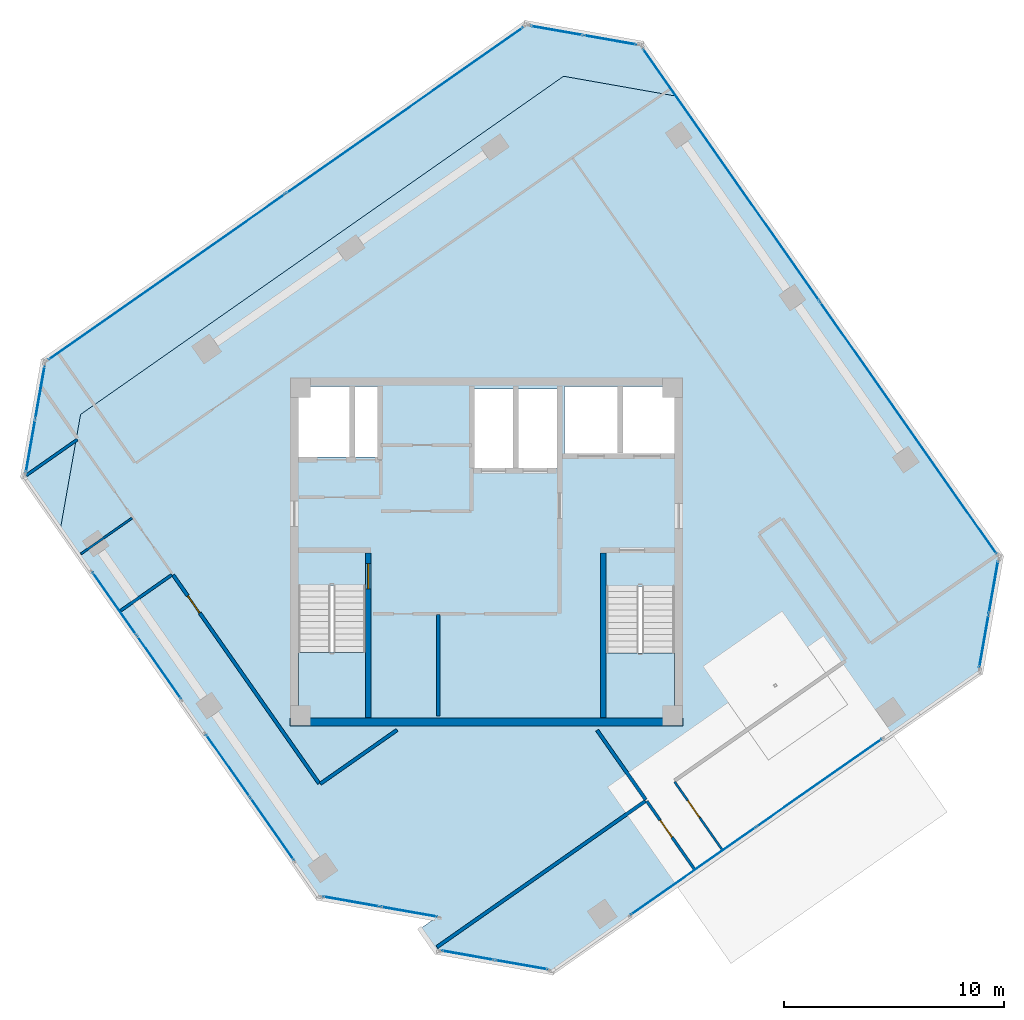
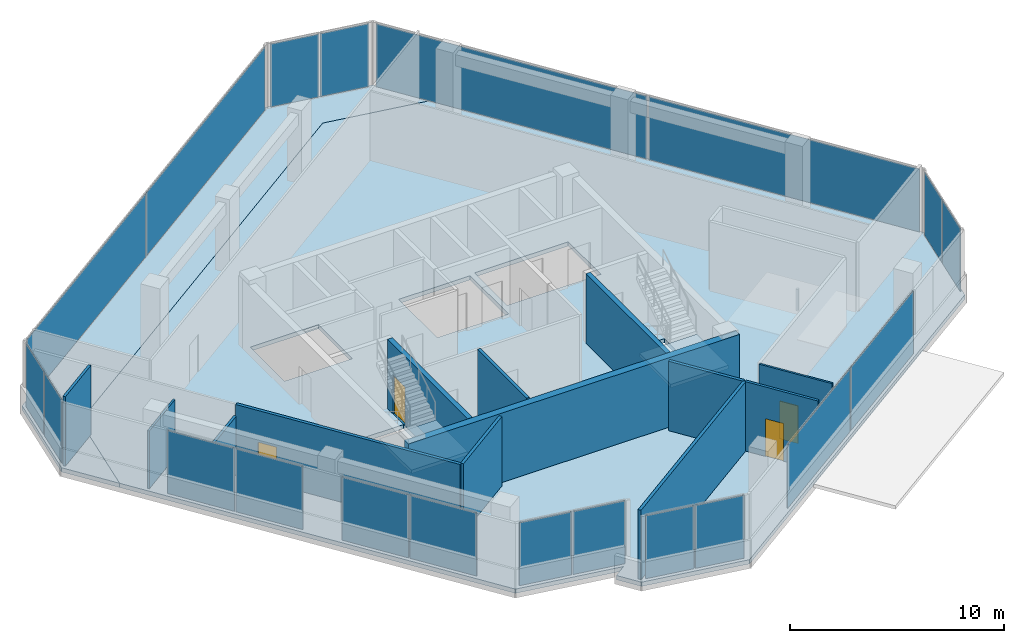
# One storey, part 11 of 17: 20 plates, 13 walls, 4 doors, 4 slabs, 4 openings, 12 elements without a shape of their own.
"""IFC4 building model written with IfcOpenShell, lengths in metres."""

from ifc_helpers import new_model, si_unit, direction, frame, frame_2d, origin, origin_2d, place, context, subcontext, project, spatial, polyline, rectangle, outline, extrude, source, transform, mapped, material, layer, layer_set, type_object, element, fill, aggregate, save


model = new_model("IFC4")

# Units and contexts
model_context = context("Model", 3, precision=1e-05, world=origin(), true_north=direction((0.0, 1.0)))
body_context = subcontext(model_context, "Body", "Model", "MODEL_VIEW")
ifc_project = project(units=[si_unit("LENGTHUNIT", "METRE"), si_unit("AREAUNIT", "SQUARE_METRE"), si_unit("VOLUMEUNIT", "CUBIC_METRE"), si_unit("PLANEANGLEUNIT", "RADIAN"), si_unit("MASSUNIT", "GRAM", prefix="KILO")], contexts=[model_context])

# Site, building, storey
site_placement = place(None, origin())
site = spatial("IfcSite", under=ifc_project, at=site_placement, CompositionType="ELEMENT")
building_placement = place(site_placement, origin())
building = spatial("IfcBuilding", under=site, at=building_placement, Name="Torre Montelarca", CompositionType="ELEMENT")
storey_placement = place(building_placement, frame((0.0, 0.0, 298.800048828125)))
storey = spatial("IfcBuildingStorey", under=building, at=storey_placement, Name="L67", CompositionType="ELEMENT", Elevation=298.800048828125)

# Slabs
ifc_material_1 = material(Name="Concrete C40/50", Category="concrete")
ifc_layer_1 = layer(ifc_material_1, 0.239990234375, Name="Concrete C40/50", Category="concrete")
ifc_layer_set_1 = layer_set([ifc_layer_1], Name="Concrete C40/50")
slab_type_1 = type_object("IfcSlabType", Name="SL-FLR-240", PredefinedType="FLOOR", material=ifc_layer_set_1)
slab_1_placement = place(storey_placement, frame((0.0, 0.0, -0.239990234375)))
element("IfcSlab", 1, at=slab_1_placement, inside=storey, type_object=slab_type_1, Name="L67 Structural Floor Slab", PredefinedType="FLOOR", context=body_context, shape_type="SweptSolid", body=[
    extrude(outline(polyline([(10.319580078125, 16.236328125), (15.612060546875, 15.30322265625), (14.956787109375, 14.844482421875), (15.702392578125, 13.779541015625), (20.99462890625, 12.84619140625), (40.490478515625, 26.497314453125), (41.423583984375, 31.789794921875), (26.797607421875, 52.67822265625), (21.505126953125, 53.611328125), (-0.447998046875, 38.239501953125), (-1.38134765625, 32.947021484375), (10.319580078125, 16.236328125)]), holes=[polyline([(26.550048828125, 24.449951171875), (23.43994140625, 24.449951171875), (23.43994140625, 30.429931640625), (26.550048828125, 30.429931640625), (26.550048828125, 24.449951171875)]), polyline([(12.5, 24.449951171875), (9.449951171875, 24.449951171875), (9.449951171875, 30.4599609375), (12.5, 30.4599609375), (12.5, 24.449951171875)]), polyline([(21.25, 39.39990234375), (21.25, 35.800048828125), (17.39990234375, 35.800048828125), (17.39990234375, 39.39990234375), (21.25, 39.39990234375)]), polyline([(13.1201171875, 36.300048828125), (9.449951171875, 36.300048828125), (9.449951171875, 39.5), (13.1201171875, 39.5), (13.1201171875, 36.300048828125)]), polyline([(26.60009765625, 36.449951171875), (21.550048828125, 36.449951171875), (21.550048828125, 39.5), (26.60009765625, 39.5), (26.60009765625, 36.449951171875)])]), origin(), (0.0, 0.0, 1.0), 0.239990234375),
])
slab_2_placement = place(storey_placement, frame((0.0, 0.0, -0.239990234375)))
element("IfcSlab", 2, at=slab_2_placement, inside=storey, type_object=slab_type_1, Name="L67 Sliding Tray Winter Garden Floor Slab W1", PredefinedType="FLOOR", context=body_context, shape_type="SweptSolid", body=[
    extrude(outline(polyline([(-1.38134765625, 32.947021484375), (-0.447998046875, 38.239501953125), (21.505126953125, 53.611328125), (26.797607421875, 52.67822265625), (25.076904296875, 55.135498046875), (19.784423828125, 56.06884765625), (-2.168701171875, 40.697021484375), (-3.10205078125, 35.404541015625), (-1.38134765625, 32.947021484375)])), origin(), (0.0, 0.0, 1.0), 0.239990234375),
])

# Stair, slab
stair_type_1 = type_object("IfcStairType", Name="ST-CORE-ST1", PredefinedType="HALF_TURN_STAIR", material=ifc_material_1)
stair_1_placement = place(storey_placement, origin())
stair_1 = element("IfcStair", 3, at=stair_1_placement, inside=storey, type_object=stair_type_1, Name="L67 Protected Exit Stair ST1", PredefinedType="HALF_TURN_STAIR")
ifc_layer_2 = layer(ifc_material_1, 0.199951171875, Name="Concrete C40/50", Category="concrete")
ifc_layer_set_2 = layer_set([ifc_layer_2], Name="Concrete C40/50")
slab_type_2 = type_object("IfcSlabType", Name="SL-ST-LAND-ST1", PredefinedType="LANDING", material=ifc_layer_set_2)
slab_3_placement = place(storey_placement, frame((0.0, 0.0, 1.89990234375)))
slab_3 = element("IfcSlab", 4, at=slab_3_placement, type_object=slab_type_2, Name="ST1 landing 1", PredefinedType="LANDING", context=body_context, shape_type="SweptSolid", body=[
    extrude(outline(polyline([(9.449951171875, 27.419921875), (9.449951171875, 24.449951171875), (12.5, 24.449951171875), (12.5, 27.419921875), (9.449951171875, 27.419921875)])), origin(), (0.0, 0.0, 1.0), 0.199951171875),
])
aggregate(stair_1, [slab_3])

stair_type_2 = type_object("IfcStairType", Name="ST-CORE-ST2", PredefinedType="HALF_TURN_STAIR", material=ifc_material_1)
stair_2_placement = place(storey_placement, origin())
stair_2 = element("IfcStair", 5, at=stair_2_placement, inside=storey, type_object=stair_type_2, Name="L67 Protected Exit Stair ST2", PredefinedType="HALF_TURN_STAIR")
ifc_layer_3 = layer(ifc_material_1, 0.199951171875, Name="Concrete C40/50", Category="concrete")
ifc_layer_set_3 = layer_set([ifc_layer_3], Name="Concrete C40/50")
slab_type_3 = type_object("IfcSlabType", Name="SL-ST-LAND-ST2", PredefinedType="LANDING", material=ifc_layer_set_3)
slab_4_placement = place(storey_placement, frame((0.0, 0.0, 1.89990234375)))
slab_4 = element("IfcSlab", 6, at=slab_4_placement, type_object=slab_type_3, Name="ST2 landing 1", PredefinedType="LANDING", context=body_context, shape_type="SweptSolid", body=[
    extrude(outline(polyline([(23.43994140625, 27.389892578125), (23.43994140625, 24.449951171875), (26.550048828125, 24.449951171875), (26.550048828125, 27.389892578125), (23.43994140625, 27.389892578125)])), origin(), (0.0, 0.0, 1.0), 0.199951171875),
])
aggregate(stair_2, [slab_4])

# Curtain wall, plates
ifc_material_2 = material(Name="Insulated low-E laminated glass", Category="glass")
curtain_wall_type = type_object("IfcCurtainWallType", Name="CW-SYS-Z4", PredefinedType="USERDEFINED", material=ifc_material_2)
curtain_wall_1_placement = place(storey_placement, origin())
curtain_wall_1 = element("IfcCurtainWall", 7, at=curtain_wall_1_placement, inside=storey, type_object=curtain_wall_type, Name="L67 Curtain Wall Run CW-T3-L67-E01-B1", ObjectType="UNITISED GLAZING", PredefinedType="USERDEFINED")
ifc_layer_4 = layer(ifc_material_2, 0.035888671875, Name="Insulated low-E laminated glass", Category="glass")
ifc_layer_set_4 = layer_set([ifc_layer_4], Name="Insulated low-E laminated glass")
plate_type = type_object("IfcPlateType", Name="CWP-GLZ-36", PredefinedType="CURTAIN_PANEL", material=ifc_layer_set_4)
shared_shape_1 = source(origin(), body_context, "Body", "SweptSolid", [
    extrude(rectangle(XDim=3.45751953125, YDim=0.035888671875, at=origin_2d()), origin(), (0.0, 0.0, 1.0), 3.590087890625),
])
plate_1_placement = place(storey_placement, frame((1.09619140625, 29.635498046875, 0.06494140625), z_axis=(0.0, 0.0, 1.0), x_axis=(0.573569496058, -0.819156903891, 0.0)))
plate_1 = element("IfcPlate", 8, at=plate_1_placement, type_object=plate_type, Name="CW panel 1.1", PredefinedType="CURTAIN_PANEL", context=body_context, shape_type="MappedRepresentation", body=[
    mapped(shared_shape_1, transform((0.0, 0.0, 0.0), scale=1.0)),
])
plate_2_placement = place(storey_placement, frame((3.122314453125, 26.741943359375, 0.06494140625), z_axis=(0.0, 0.0, 1.0), x_axis=(0.573569496058, -0.819156903891, 0.0)))
plate_2 = element("IfcPlate", 9, at=plate_2_placement, type_object=plate_type, Name="CW panel 2.1", PredefinedType="CURTAIN_PANEL", context=body_context, shape_type="MappedRepresentation", body=[
    mapped(shared_shape_1, transform((0.0, 0.0, 0.0), scale=1.0)),
])
aggregate(curtain_wall_1, [plate_1, plate_2])

curtain_wall_2_placement = place(storey_placement, origin())
curtain_wall_2 = element("IfcCurtainWall", 10, at=curtain_wall_2_placement, inside=storey, type_object=curtain_wall_type, Name="L67 Curtain Wall Run CW-T3-L67-E01-B2", ObjectType="UNITISED GLAZING", PredefinedType="USERDEFINED")
shared_shape_2 = source(origin(), body_context, "Body", "SweptSolid", [
    extrude(rectangle(XDim=3.432373046875, YDim=0.035888671875, at=origin_2d()), origin(), (0.0, 0.0, 1.0), 3.590087890625),
])
plate_3_placement = place(storey_placement, frame((6.251220703125, 22.2734375, 0.06494140625), z_axis=(0.0, 0.0, 1.0), x_axis=(0.573570252382, -0.819156374316, 0.0)))
plate_3 = element("IfcPlate", 11, at=plate_3_placement, type_object=plate_type, Name="CW panel 1.1", PredefinedType="CURTAIN_PANEL", context=body_context, shape_type="MappedRepresentation", body=[
    mapped(shared_shape_2, transform((0.0, 0.0, 0.0), scale=1.0)),
])
plate_4_placement = place(storey_placement, frame((8.26318359375, 19.400146484375, 0.06494140625), z_axis=(0.0, 0.0, 1.0), x_axis=(0.573570252382, -0.819156374316, 0.0)))
plate_4 = element("IfcPlate", 12, at=plate_4_placement, type_object=plate_type, Name="CW panel 2.1", PredefinedType="CURTAIN_PANEL", context=body_context, shape_type="MappedRepresentation", body=[
    mapped(shared_shape_2, transform((0.0, 0.0, 0.0), scale=1.0)),
])
aggregate(curtain_wall_2, [plate_3, plate_4])

curtain_wall_3_placement = place(storey_placement, origin())
curtain_wall_3 = element("IfcCurtainWall", 13, at=curtain_wall_3_placement, inside=storey, type_object=curtain_wall_type, Name="L67 Curtain Wall Run CW-T3-L67-E02-B1", ObjectType="UNITISED GLAZING", PredefinedType="USERDEFINED")
shared_shape_3 = source(origin(), body_context, "Body", "SweptSolid", [
    extrude(rectangle(XDim=2.592529296875, YDim=0.035888671875, at=origin_2d()), origin(), (0.0, 0.0, 1.0), 3.590087890625),
])
plate_5_placement = place(storey_placement, frame((11.85595703125, 16.097412109375, 0.06494140625), z_axis=(0.0, 0.0, 1.0), x_axis=(0.9848088558, -0.17364192333, 0.0)))
plate_5 = element("IfcPlate", 14, at=plate_5_placement, type_object=plate_type, Name="CW panel 1.1", PredefinedType="CURTAIN_PANEL", context=body_context, shape_type="MappedRepresentation", body=[
    mapped(shared_shape_3, transform((0.0, 0.0, 0.0), scale=1.0)),
])
plate_6_placement = place(storey_placement, frame((14.48291015625, 15.63427734375, 0.06494140625), z_axis=(0.0, 0.0, 1.0), x_axis=(0.9848088558, -0.17364192333, 0.0)))
plate_6 = element("IfcPlate", 15, at=plate_6_placement, type_object=plate_type, Name="CW panel 2.1", PredefinedType="CURTAIN_PANEL", context=body_context, shape_type="MappedRepresentation", body=[
    mapped(shared_shape_3, transform((0.0, 0.0, 0.0), scale=1.0)),
])
aggregate(curtain_wall_3, [plate_5, plate_6])

curtain_wall_4_placement = place(storey_placement, origin())
curtain_wall_4 = element("IfcCurtainWall", 16, at=curtain_wall_4_placement, inside=storey, type_object=curtain_wall_type, Name="L67 Curtain Wall Run CW-T3-L67-E05-B1", ObjectType="UNITISED GLAZING", PredefinedType="USERDEFINED")
shared_shape_4 = source(origin(), body_context, "Body", "SweptSolid", [
    extrude(rectangle(XDim=2.40869140625, YDim=0.035888671875, at=origin_2d()), origin(), (0.0, 0.0, 1.0), 3.590087890625),
])
plate_7_placement = place(storey_placement, frame((17.148193359375, 13.656494140625, 0.06494140625), z_axis=(0.0, 0.0, 1.0), x_axis=(0.984810101776, -0.173634856638, 0.0)))
plate_7 = element("IfcPlate", 17, at=plate_7_placement, type_object=plate_type, Name="CW panel 1.1", PredefinedType="CURTAIN_PANEL", context=body_context, shape_type="MappedRepresentation", body=[
    mapped(shared_shape_4, transform((0.0, 0.0, 0.0), scale=1.0)),
])
plate_8_placement = place(storey_placement, frame((19.593994140625, 13.225341796875, 0.06494140625), z_axis=(0.0, 0.0, 1.0), x_axis=(0.984810101776, -0.173634856638, 0.0)))
plate_8 = element("IfcPlate", 18, at=plate_8_placement, type_object=plate_type, Name="CW panel 2.1", PredefinedType="CURTAIN_PANEL", context=body_context, shape_type="MappedRepresentation", body=[
    mapped(shared_shape_4, transform((0.0, 0.0, 0.0), scale=1.0)),
])
aggregate(curtain_wall_4, [plate_7, plate_8])

curtain_wall_5_placement = place(storey_placement, origin())
curtain_wall_5 = element("IfcCurtainWall", 19, at=curtain_wall_5_placement, inside=storey, type_object=curtain_wall_type, Name="L67 Curtain Wall Run CW-T3-L67-E07-B1", ObjectType="UNITISED GLAZING", PredefinedType="USERDEFINED")
plate_9_placement = place(storey_placement, frame((40.613525390625, 27.943115234375, 0.06494140625), z_axis=(0.0, 0.0, 1.0), x_axis=(0.173612230899, 0.984814090721, 0.0)))
plate_9 = element("IfcPlate", 20, at=plate_9_placement, type_object=plate_type, Name="CW panel 1.1", PredefinedType="CURTAIN_PANEL", context=body_context, shape_type="MappedRepresentation", body=[
    mapped(shared_shape_4, transform((0.0, 0.0, 0.0), scale=1.0)),
])
plate_10_placement = place(storey_placement, frame((41.044677734375, 30.38916015625, 0.06494140625), z_axis=(0.0, 0.0, 1.0), x_axis=(0.173612230899, 0.984814090721, 0.0)))
plate_10 = element("IfcPlate", 21, at=plate_10_placement, type_object=plate_type, Name="CW panel 2.1", PredefinedType="CURTAIN_PANEL", context=body_context, shape_type="MappedRepresentation", body=[
    mapped(shared_shape_4, transform((0.0, 0.0, 0.0), scale=1.0)),
])
aggregate(curtain_wall_5, [plate_9, plate_10])

curtain_wall_6_placement = place(storey_placement, origin())
curtain_wall_6 = element("IfcCurtainWall", 22, at=curtain_wall_6_placement, inside=storey, type_object=curtain_wall_type, Name="L67 Curtain Wall Run CW-T3-L67-E09-B1", ObjectType="UNITISED GLAZING", PredefinedType="USERDEFINED")
plate_11_placement = place(storey_placement, frame((23.631103515625, 55.258544921875, 0.06494140625), z_axis=(0.0, 0.0, 1.0), x_axis=(-0.984810101776, 0.173634856638, 0.0)))
plate_11 = element("IfcPlate", 23, at=plate_11_placement, type_object=plate_type, Name="CW panel 1.1", PredefinedType="CURTAIN_PANEL", context=body_context, shape_type="MappedRepresentation", body=[
    mapped(shared_shape_4, transform((0.0, 0.0, 0.0), scale=1.0)),
])
plate_12_placement = place(storey_placement, frame((21.18505859375, 55.689697265625, 0.06494140625), z_axis=(0.0, 0.0, 1.0), x_axis=(-0.984810101776, 0.173634856638, 0.0)))
plate_12 = element("IfcPlate", 24, at=plate_12_placement, type_object=plate_type, Name="CW panel 2.1", PredefinedType="CURTAIN_PANEL", context=body_context, shape_type="MappedRepresentation", body=[
    mapped(shared_shape_4, transform((0.0, 0.0, 0.0), scale=1.0)),
])
aggregate(curtain_wall_6, [plate_11, plate_12])

curtain_wall_7_placement = place(storey_placement, origin())
curtain_wall_7 = element("IfcCurtainWall", 25, at=curtain_wall_7_placement, inside=storey, type_object=curtain_wall_type, Name="L67 Curtain Wall Run CW-T3-L67-E11-B1", ObjectType="UNITISED GLAZING", PredefinedType="USERDEFINED")
plate_13_placement = place(storey_placement, frame((-2.291748046875, 39.251220703125, 0.06494140625), z_axis=(0.0, 0.0, 1.0), x_axis=(-0.173634856638, -0.984810101776, 0.0)))
plate_13 = element("IfcPlate", 26, at=plate_13_placement, type_object=plate_type, Name="CW panel 1.1", PredefinedType="CURTAIN_PANEL", context=body_context, shape_type="MappedRepresentation", body=[
    mapped(shared_shape_4, transform((0.0, 0.0, 0.0), scale=1.0)),
])
plate_14_placement = place(storey_placement, frame((-2.722900390625, 36.80517578125, 0.06494140625), z_axis=(0.0, 0.0, 1.0), x_axis=(-0.173634856638, -0.984810101776, 0.0)))
plate_14 = element("IfcPlate", 27, at=plate_14_placement, type_object=plate_type, Name="CW panel 2.1", PredefinedType="CURTAIN_PANEL", context=body_context, shape_type="MappedRepresentation", body=[
    mapped(shared_shape_4, transform((0.0, 0.0, 0.0), scale=1.0)),
])
aggregate(curtain_wall_7, [plate_13, plate_14])

curtain_wall_8_placement = place(storey_placement, origin())
curtain_wall_8 = element("IfcCurtainWall", 28, at=curtain_wall_8_placement, inside=storey, type_object=curtain_wall_type, Name="L67 Curtain Wall Run CW-T3-L67-E06-B1", ObjectType="UNITISED GLAZING", PredefinedType="USERDEFINED")
shared_shape_5 = source(origin(), body_context, "Body", "SweptSolid", [
    extrude(rectangle(XDim=6.907470703125, YDim=0.035888671875, at=origin_2d()), origin(), (0.0, 0.0, 1.0), 3.590087890625),
])
plate_15_placement = place(storey_placement, frame((27.398681640625, 17.489013671875, 0.06494140625), z_axis=(0.0, 0.0, 1.0), x_axis=(0.819154952255, 0.573572283323, 0.0)))
plate_15 = element("IfcPlate", 29, at=plate_15_placement, type_object=plate_type, Name="CW panel 1.1", PredefinedType="CURTAIN_PANEL", context=body_context, shape_type="MappedRepresentation", body=[
    mapped(shared_shape_5, transform((0.0, 0.0, 0.0), scale=1.0)),
])
plate_16_placement = place(storey_placement, frame((33.118408203125, 21.494140625, 0.06494140625), z_axis=(0.0, 0.0, 1.0), x_axis=(0.819154952255, 0.573572283323, 0.0)))
plate_16 = element("IfcPlate", 30, at=plate_16_placement, type_object=plate_type, Name="CW panel 2.1", PredefinedType="CURTAIN_PANEL", context=body_context, shape_type="MappedRepresentation", body=[
    mapped(shared_shape_5, transform((0.0, 0.0, 0.0), scale=1.0)),
])
aggregate(curtain_wall_8, [plate_15, plate_16])

curtain_wall_9_placement = place(storey_placement, origin())
curtain_wall_9 = element("IfcCurtainWall", 31, at=curtain_wall_9_placement, inside=storey, type_object=curtain_wall_type, Name="L67 Curtain Wall Run CW-T3-L67-E08-B1", ObjectType="UNITISED GLAZING", PredefinedType="USERDEFINED")
shared_shape_6 = source(origin(), body_context, "Body", "SweptSolid", [
    extrude(rectangle(XDim=13.9716796875, YDim=0.035888671875, at=origin_2d()), origin(), (0.0, 0.0, 1.0), 3.590087890625),
])
plate_17_placement = place(storey_placement, frame((37.172119140625, 37.635009765625, 0.06494140625), z_axis=(0.0, 0.0, 1.0), x_axis=(-0.573570986503, 0.819155860287, 0.0)))
plate_17 = element("IfcPlate", 32, at=plate_17_placement, type_object=plate_type, Name="CW panel 1.1", PredefinedType="CURTAIN_PANEL", context=body_context, shape_type="MappedRepresentation", body=[
    mapped(shared_shape_6, transform((0.0, 0.0, 0.0), scale=1.0)),
])
plate_18_placement = place(storey_placement, frame((29.115478515625, 49.141357421875, 0.06494140625), z_axis=(0.0, 0.0, 1.0), x_axis=(-0.573570986503, 0.819155860287, 0.0)))
plate_18 = element("IfcPlate", 33, at=plate_18_placement, type_object=plate_type, Name="CW panel 2.1", PredefinedType="CURTAIN_PANEL", context=body_context, shape_type="MappedRepresentation", body=[
    mapped(shared_shape_6, transform((0.0, 0.0, 0.0), scale=1.0)),
])
aggregate(curtain_wall_9, [plate_17, plate_18])

curtain_wall_10_placement = place(storey_placement, origin())
curtain_wall_10 = element("IfcCurtainWall", 34, at=curtain_wall_10_placement, inside=storey, type_object=curtain_wall_type, Name="L67 Curtain Wall Run CW-T3-L67-E10-B1", ObjectType="UNITISED GLAZING", PredefinedType="USERDEFINED")
shared_shape_7 = source(origin(), body_context, "Body", "SweptSolid", [
    extrude(rectangle(XDim=13.12158203125, YDim=0.035888671875, at=origin_2d()), origin(), (0.0, 0.0, 1.0), 3.590087890625),
])
plate_19_placement = place(storey_placement, frame((14.28759765625, 52.06103515625, 0.06494140625), z_axis=(0.0, 0.0, 1.0), x_axis=(-0.819155413128, -0.57357162512, 0.0)))
plate_19 = element("IfcPlate", 35, at=plate_19_placement, type_object=plate_type, Name="CW panel 1.1", PredefinedType="CURTAIN_PANEL", context=body_context, shape_type="MappedRepresentation", body=[
    mapped(shared_shape_7, transform((0.0, 0.0, 0.0), scale=1.0)),
])
plate_20_placement = place(storey_placement, frame((3.477294921875, 44.49169921875, 0.06494140625), z_axis=(0.0, 0.0, 1.0), x_axis=(-0.819155413128, -0.57357162512, 0.0)))
plate_20 = element("IfcPlate", 36, at=plate_20_placement, type_object=plate_type, Name="CW panel 2.1", PredefinedType="CURTAIN_PANEL", context=body_context, shape_type="MappedRepresentation", body=[
    mapped(shared_shape_7, transform((0.0, 0.0, 0.0), scale=1.0)),
])
aggregate(curtain_wall_10, [plate_19, plate_20])

# Wall, opening, door
ifc_layer_5 = layer(ifc_material_1, 0.25, Name="Concrete C40/50", Category="concrete")
ifc_layer_set_5 = layer_set([ifc_layer_5], Name="Concrete C40/50")
wall_type_1 = type_object("IfcWallType", Name="CW-SHAFT-250", PredefinedType="SHEAR", material=ifc_layer_set_5)
wall_1_placement = place(storey_placement, frame((12.625, 24.4599609375, 0.0), z_axis=(0.0, 0.0, 1.0), x_axis=(0.0, 1.0, 0.0)))
wall_1 = element("IfcWall", 37, at=wall_1_placement, inside=storey, type_object=wall_type_1, Name="L67 Core Shear Wall SH-ST1-E", PredefinedType="SHEAR", context=body_context, shape_type="SweptSolid", body=[
    extrude(rectangle(XDim=7.489990234375, YDim=0.25, at=frame_2d((3.7451171875, 0.0))), origin(), (0.0, 0.0, 1.0), 3.9599609375),
])
opening_1_placement = place(wall_1_placement, frame((5.85009765625, 0.0, 0.0)))
opening_1 = element("IfcOpeningElement", 38, at=opening_1_placement, cuts=wall_1, Name="Opening FD-ST1", PredefinedType="OPENING", context=body_context, shape_type="SweptSolid", body=[
    extrude(rectangle(XDim=1.14990234375, YDim=2.199951171875, at=frame_2d((0.574951171875, 1.10009765625))), frame((0.0, 0.135009765625, 0.0), z_axis=(0.0, -1.0, 0.0), x_axis=(1.0, 0.0, 0.0)), (0.0, 0.0, 1.0), 0.27001953125),
])
ifc_material_3 = material(Name="Galvanized steel fire door", Category="steel")
door_type_1 = type_object("IfcDoorType", Name="DR-STAIR-115", OperationType="NOTDEFINED", PredefinedType="DOOR", material=ifc_material_3)
shared_shape_8 = source(origin(), body_context, "Body", "SweptSolid", [
    extrude(rectangle(XDim=1.14990234375, YDim=2.199951171875, at=frame_2d((0.574951171875, 1.10009765625))), frame((0.0, 0.02490234375, 0.0), z_axis=(0.0, -1.0, 0.0), x_axis=(1.0, 0.0, 0.0)), (0.0, 0.0, 1.0), 0.050048828125),
])
door_1_placement = place(opening_1_placement, origin())
door_1 = element("IfcDoor", 39, at=door_1_placement, inside=storey, type_object=door_type_1, Name="L67 Exit Stair ST1 Fire Door", OperationType="SINGLE_SWING_RIGHT", OverallHeight=2.199951171875, OverallWidth=1.14990234375, PredefinedType="DOOR", context=body_context, shape_type="MappedRepresentation", body=[
    mapped(shared_shape_8, transform((0.0, 0.0, 0.0), scale=1.0)),
])
fill(opening_1, door_1)

# Walls
wall_2_placement = place(storey_placement, frame((23.31494140625, 24.4599609375, 0.0), z_axis=(0.0, 0.0, 1.0), x_axis=(0.0, 1.0, 0.0)))
element("IfcWall", 40, at=wall_2_placement, inside=storey, type_object=wall_type_1, Name="L67 Core Shear Wall SH-ST2-W", PredefinedType="SHEAR", context=body_context, shape_type="SweptSolid", body=[
    extrude(rectangle(XDim=7.489990234375, YDim=0.25, at=frame_2d((3.7451171875, 0.0))), origin(), (0.0, 0.0, 1.0), 3.9599609375),
])
ifc_layer_6 = layer(ifc_material_1, 0.3798828125, Name="Concrete C40/50", Category="concrete")
ifc_layer_set_6 = layer_set([ifc_layer_6], Name="Concrete C40/50")
wall_type_2 = type_object("IfcWallType", Name="CW-SHEAR-380", PredefinedType="SHEAR", material=ifc_layer_set_6)
wall_3_placement = place(storey_placement, frame((9.070068359375, 24.260009765625, 0.0), z_axis=(0.0, 0.0, 1.0), x_axis=(1.0, 0.0, 0.0)))
element("IfcWall", 41, at=wall_3_placement, inside=storey, type_object=wall_type_2, Name="L67 Core Shear Wall CW-S1", PredefinedType="SHEAR", context=body_context, shape_type="SweptSolid", body=[
    extrude(rectangle(XDim=17.85986328125, YDim=0.3798828125, at=frame_2d((8.929931640625, 0.0))), origin(), (0.0, 0.0, 1.0), 3.9599609375),
])
ifc_material_4 = material(Name="Gypsum plasterboard on steel stud", Category="steel")
ifc_layer_7 = layer(ifc_material_4, 0.159912109375, Name="Gypsum plasterboard on steel stud", Category="steel")
ifc_layer_set_7 = layer_set([ifc_layer_7], Name="Gypsum plasterboard on steel stud")
wall_type_3 = type_object("IfcWallType", Name="PW-FIRE-160", PredefinedType="PARTITIONING", material=ifc_layer_set_7)
wall_4_placement = place(storey_placement, frame((15.800048828125, 24.5400390625, 0.0), z_axis=(0.0, 0.0, 1.0), x_axis=(0.0, 1.0, 0.0)))
element("IfcWall", 42, at=wall_4_placement, inside=storey, type_object=wall_type_3, Name="L67 Interior Partition CW-L67-FRD1", PredefinedType="PARTITIONING", context=body_context, shape_type="SweptSolid", body=[
    extrude(rectangle(XDim=4.599853515625, YDim=0.159912109375, at=frame_2d((2.2998046875, 0.0))), origin(), (0.0, 0.0, 1.0), 3.9599609375),
])

# Wall, opening, door
wall_5_placement = place(storey_placement, frame((3.758056640625, 30.9423828125, 0.0), z_axis=(0.0, 0.0, 1.0), x_axis=(0.573575634469, -0.819152605772, 0.0)))
wall_5 = element("IfcWall", 43, at=wall_5_placement, inside=storey, type_object=wall_type_3, Name="L67 Interior Partition W-L67-SOCCN", PredefinedType="PARTITIONING", context=body_context, shape_type="SweptSolid", body=[
    extrude(rectangle(XDim=11.56982421875, YDim=0.159912109375, at=frame_2d((5.784912109375, 0.0))), origin(), (0.0, 0.0, 1.0), 3.9599609375),
])
opening_2_placement = place(wall_5_placement, frame((1.14990234375, 0.0, 0.0)))
opening_2 = element("IfcOpeningElement", 44, at=opening_2_placement, cuts=wall_5, Name="Opening FD-095", PredefinedType="OPENING", context=body_context, shape_type="SweptSolid", body=[
    extrude(rectangle(XDim=0.949951171875, YDim=2.14990234375, at=frame_2d((0.47509765625, 1.074951171875))), frame((0.0, 0.08984375, 0.0), z_axis=(0.0, -1.0, 0.0), x_axis=(1.0, 0.0, 0.0)), (0.0, 0.0, 1.0), 0.179931640625),
])
ifc_material_5 = material(Name="Timber fire-rated room door", Category="wood")
door_type_2 = type_object("IfcDoorType", Name="DR-FIRE-095", OperationType="NOTDEFINED", PredefinedType="DOOR", material=ifc_material_5)
shared_shape_9 = source(origin(), body_context, "Body", "SweptSolid", [
    extrude(rectangle(XDim=0.949951171875, YDim=2.14990234375, at=frame_2d((0.47509765625, 1.074951171875))), frame((0.0, 0.02490234375, 0.0), z_axis=(0.0, -1.0, 0.0), x_axis=(1.0, 0.0, 0.0)), (0.0, 0.0, 1.0), 0.050048828125),
])
door_2_placement = place(opening_2_placement, origin())
door_2 = element("IfcDoor", 45, at=door_2_placement, inside=storey, type_object=door_type_2, Name="L67 Interior Door 08", OperationType="SINGLE_SWING_RIGHT", OverallHeight=2.14990234375, OverallWidth=0.949951171875, PredefinedType="DOOR", context=body_context, shape_type="MappedRepresentation", body=[
    mapped(shared_shape_9, transform((0.0, 0.0, 0.0), scale=1.0)),
])
fill(opening_2, door_2)

# Walls
wall_6_placement = place(storey_placement, frame((10.4501953125, 21.454833984375, 0.0), z_axis=(0.0, 0.0, 1.0), x_axis=(0.819110678768, 0.573635507903, 0.0)))
element("IfcWall", 46, at=wall_6_placement, inside=storey, type_object=wall_type_3, Name="L67 Interior Partition W-L67-SOCCW3", PredefinedType="PARTITIONING", context=body_context, shape_type="SweptSolid", body=[
    extrude(rectangle(XDim=4.2578125, YDim=0.159912109375, at=frame_2d((2.12890625, 0.0))), origin(), (0.0, 0.0, 1.0), 3.9599609375),
])
wall_7_placement = place(storey_placement, frame((23.02978515625, 23.88720703125, 0.0), z_axis=(0.0, 0.0, 1.0), x_axis=(0.573602525203, -0.819133776059, 0.0)))
element("IfcWall", 47, at=wall_7_placement, inside=storey, type_object=wall_type_3, Name="L67 Interior Partition W-L67-SOCCN3", PredefinedType="PARTITIONING", context=body_context, shape_type="SweptSolid", body=[
    extrude(rectangle(XDim=3.85693359375, YDim=0.159912109375, at=frame_2d((1.928466796875, 0.0))), origin(), (0.0, 0.0, 1.0), 3.9599609375),
])
wall_8_placement = place(storey_placement, frame((15.74658203125, 14.030029296875, 0.0), z_axis=(0.0, 0.0, 1.0), x_axis=(0.819150694041, 0.573578364701, 0.0)))
element("IfcWall", 48, at=wall_8_placement, inside=storey, type_object=wall_type_3, Name="L67 Interior Partition W-L67-ECS", PredefinedType="PARTITIONING", context=body_context, shape_type="SweptSolid", body=[
    extrude(rectangle(XDim=11.580078125, YDim=0.159912109375, at=frame_2d((5.7900390625, 0.0))), origin(), (0.0, 0.0, 1.0), 3.9599609375),
])
ifc_material_6 = material(Name="Acoustic laminated glass partition", Category="glass")
ifc_layer_8 = layer(ifc_material_6, 0.10009765625, Name="Acoustic laminated glass partition", Category="glass")
ifc_layer_set_8 = layer_set([ifc_layer_8], Name="Acoustic laminated glass partition")
wall_type_4 = type_object("IfcWallType", Name="PW-GLAZ-100", PredefinedType="PARTITIONING", material=ifc_layer_set_8)
wall_9_placement = place(storey_placement, frame((-0.430908203125, 31.903564453125, 0.0), z_axis=(0.0, 0.0, 1.0), x_axis=(0.819122867865, 0.573618102347, 0.0)))
element("IfcWall", 49, at=wall_9_placement, inside=storey, type_object=wall_type_4, Name="L67 Interior Partition W-L67-WCD", PredefinedType="PARTITIONING", context=body_context, shape_type="SweptSolid", body=[
    extrude(rectangle(XDim=2.840087890625, YDim=0.10009765625, at=frame_2d((1.419921875, 0.0))), origin(), (0.0, 0.0, 1.0), 3.294921875),
])

# Wall, opening, door
wall_10_placement = place(storey_placement, frame((26.549560546875, 21.545654296875, 0.0), z_axis=(0.0, 0.0, 1.0), x_axis=(0.573614860738, -0.8191251379, 0.0)))
wall_10 = element("IfcWall", 50, at=wall_10_placement, inside=storey, type_object=wall_type_4, Name="L67 Interior Partition W-L67-NE-S", PredefinedType="PARTITIONING", context=body_context, shape_type="SweptSolid", body=[
    extrude(rectangle(XDim=3.760009765625, YDim=0.10009765625, at=frame_2d((1.8798828125, 0.0))), origin(), (0.0, 0.0, 1.0), 3.9599609375),
])
opening_3_placement = place(wall_10_placement, frame((1.050048828125, 0.0, 0.0)))
opening_3 = element("IfcOpeningElement", 51, at=opening_3_placement, cuts=wall_10, Name="Opening ID-095", PredefinedType="OPENING", context=body_context, shape_type="SweptSolid", body=[
    extrude(rectangle(XDim=0.949951171875, YDim=2.14990234375, at=frame_2d((0.47509765625, 1.074951171875))), frame((0.0, 0.06005859375, 0.0), z_axis=(0.0, -1.0, 0.0), x_axis=(1.0, 0.0, 0.0)), (0.0, 0.0, 1.0), 0.1201171875),
])
ifc_material_7 = material(Name="Hardwood acoustic timber veneer", Category="wood")
door_type_3 = type_object("IfcDoorType", Name="DR-INT-095", OperationType="NOTDEFINED", PredefinedType="DOOR", material=ifc_material_7)
shared_shape_10 = source(origin(), body_context, "Body", "SweptSolid", [
    extrude(rectangle(XDim=0.949951171875, YDim=2.14990234375, at=frame_2d((0.47509765625, 1.074951171875))), frame((0.0, 0.02490234375, 0.0), z_axis=(0.0, -1.0, 0.0), x_axis=(1.0, 0.0, 0.0)), (0.0, 0.0, 1.0), 0.050048828125),
])
door_3_placement = place(opening_3_placement, origin())
door_3 = element("IfcDoor", 52, at=door_3_placement, inside=storey, type_object=door_type_3, Name="L67 Interior Door 11", OperationType="SINGLE_SWING_LEFT", OverallHeight=2.14990234375, OverallWidth=0.949951171875, PredefinedType="DOOR", context=body_context, shape_type="MappedRepresentation", body=[
    mapped(shared_shape_10, transform((0.0, 0.0, 0.0), scale=1.0)),
])
fill(opening_3, door_3)

# Walls
ifc_layer_9 = layer(ifc_material_4, 0.135009765625, Name="Gypsum plasterboard on steel stud", Category="steel")
ifc_layer_set_9 = layer_set([ifc_layer_9], Name="Gypsum plasterboard on steel stud")
wall_type_5 = type_object("IfcWallType", Name="PW-PART-135", PredefinedType="PARTITIONING", material=ifc_layer_set_9)
wall_11_placement = place(storey_placement, frame((-2.919189453125, 35.471435546875, 0.0), z_axis=(0.0, 0.0, 1.0), x_axis=(0.819098241059, 0.573653267657, 0.0)))
element("IfcWall", 53, at=wall_11_placement, inside=storey, type_object=wall_type_5, Name="L67 Interior Partition W-L67-WCW", PredefinedType="PARTITIONING", context=body_context, shape_type="SweptSolid", body=[
    extrude(rectangle(XDim=2.831787109375, YDim=0.135009765625, at=frame_2d((1.416015625, 0.0))), origin(), (0.0, 0.0, 1.0), 3.9599609375),
])
wall_12_placement = place(storey_placement, frame((1.3759765625, 29.3232421875, 0.0), z_axis=(0.0, 0.0, 1.0), x_axis=(0.819163257805, 0.573560421458, 0.0)))
element("IfcWall", 54, at=wall_12_placement, inside=storey, type_object=wall_type_5, Name="L67 Interior Partition W-L67-SWCDIV", PredefinedType="PARTITIONING", context=body_context, shape_type="SweptSolid", body=[
    extrude(rectangle(XDim=2.840087890625, YDim=0.135009765625, at=frame_2d((1.419921875, 0.0))), origin(), (0.0, 0.0, 1.0), 3.294921875),
])

# Wall, opening, door
wall_13_placement = place(storey_placement, frame((25.2880859375, 20.662353515625, 0.0), z_axis=(0.0, 0.0, 1.0), x_axis=(0.573614860738, -0.8191251379, 0.0)))
wall_13 = element("IfcWall", 55, at=wall_13_placement, inside=storey, type_object=wall_type_5, Name="L67 Interior Partition W-L67-SE-N", PredefinedType="PARTITIONING", context=body_context, shape_type="SweptSolid", body=[
    extrude(rectangle(XDim=3.760009765625, YDim=0.135009765625, at=frame_2d((1.8798828125, 0.0))), origin(), (0.0, 0.0, 1.0), 3.9599609375),
])
opening_4_placement = place(wall_13_placement, frame((1.050048828125, 0.0, 0.0)))
opening_4 = element("IfcOpeningElement", 56, at=opening_4_placement, cuts=wall_13, Name="Opening ID-095", PredefinedType="OPENING", context=body_context, shape_type="SweptSolid", body=[
    extrude(rectangle(XDim=0.949951171875, YDim=2.14990234375, at=frame_2d((0.47509765625, 1.074951171875))), frame((0.0, 0.07763671875, 0.0), z_axis=(0.0, -1.0, 0.0), x_axis=(1.0, 0.0, 0.0)), (0.0, 0.0, 1.0), 0.155029296875),
])
door_4_placement = place(opening_4_placement, origin())
door_4 = element("IfcDoor", 57, at=door_4_placement, inside=storey, type_object=door_type_3, Name="L67 Interior Door 12", OperationType="SINGLE_SWING_LEFT", OverallHeight=2.14990234375, OverallWidth=0.949951171875, PredefinedType="DOOR", context=body_context, shape_type="MappedRepresentation", body=[
    mapped(shared_shape_10, transform((0.0, 0.0, 0.0), scale=1.0)),
])
fill(opening_4, door_4)

save(model, "model.ifc")
